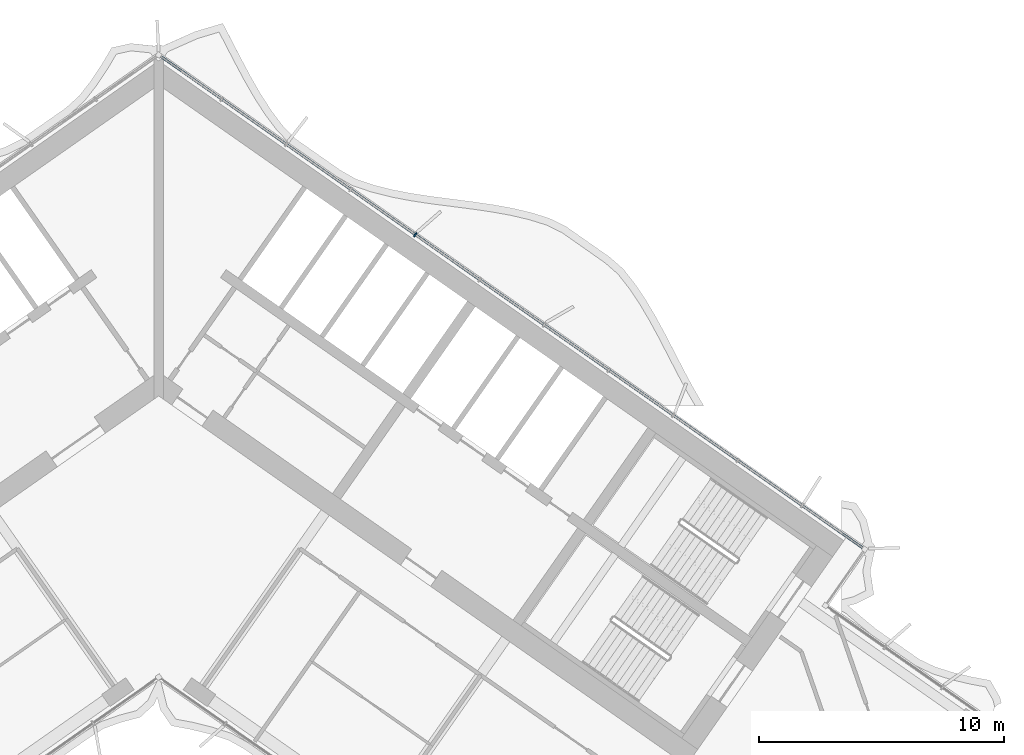
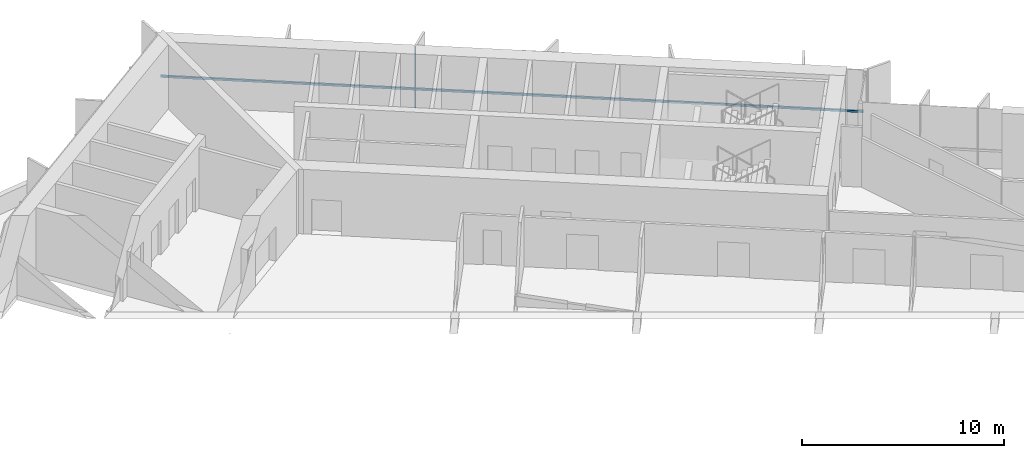
# One storey, part 9 of 23: 2 members, 1 element without a shape of its own.
"""IFC4 building model written with IfcOpenShell, lengths in metres."""

from ifc_helpers import new_model, si_unit, direction, frame, origin, origin_2d, place, context, subcontext, project, spatial, rectangle, extrude, material, material_profile, profile_set, type_object, element, aggregate, save


model = new_model("IFC4")

# Units and contexts
model_context = context("Model", 3, precision=1e-05, world=origin(), true_north=direction((0.0, 1.0)))
body_context = subcontext(model_context, "Body", "Model", "MODEL_VIEW")
ifc_project = project(units=[si_unit("LENGTHUNIT", "METRE"), si_unit("AREAUNIT", "SQUARE_METRE"), si_unit("VOLUMEUNIT", "CUBIC_METRE"), si_unit("PLANEANGLEUNIT", "RADIAN"), si_unit("MASSUNIT", "GRAM", prefix="KILO")], contexts=[model_context])

# Site, building, storey
site_placement = place(None, origin())
site = spatial("IfcSite", under=ifc_project, at=site_placement, CompositionType="ELEMENT")
building_placement = place(site_placement, origin())
building = spatial("IfcBuilding", under=site, at=building_placement, Name="Tel Ilan Convention Tower", CompositionType="ELEMENT")
storey_placement = place(building_placement, frame((0.0, 0.0, 190.5)))
storey = spatial("IfcBuildingStorey", under=building, at=storey_placement, Name="L44", CompositionType="ELEMENT", Elevation=190.5)

# Curtain wall, members
ifc_material_1 = material(Name="Aluminium, bronze anodised", Category="aluminium")
curtain_wall_type = type_object("IfcCurtainWallType", Name="CW2 STICK CURTAIN WALL, SPANDREL PANELS", PredefinedType="NOTDEFINED", material=ifc_material_1)
curtain_wall_placement = place(storey_placement, origin())
curtain_wall = element("IfcCurtainWall", 1, at=curtain_wall_placement, inside=storey, type_object=curtain_wall_type, Name="Curtain wall CW2-34.03", PredefinedType="NOTDEFINED")
ifc_material_2 = material(Name="Aluminium, bronze anodised", Category="aluminium")
ifc_material_profile_1 = material_profile(ifc_material_2, rectangle(XDim=0.06005859375, YDim=0.199951171875, at=origin_2d()), Name="CW MULLION 60x200")
ifc_profile_set_1 = profile_set([ifc_material_profile_1], Name="Aluminium, bronze anodised")
member_type_1 = type_object("IfcMemberType", Name="CW MULLION 60x200", PredefinedType="MULLION", material=ifc_profile_set_1)
member_1_placement = place(storey_placement, frame((10.47314453125, 5.36279296875, 0.0), z_axis=(0.0, 0.0, 1.0), x_axis=(-0.819152044289, 0.573576436351, 0.0)))
member_1 = element("IfcMember", 2, at=member_1_placement, type_object=member_type_1, Name="Mullion", PredefinedType="MULLION", context=body_context, shape_type="SweptSolid", body=[
    extrude(rectangle(XDim=0.06005859375, YDim=0.199951171875, at=origin_2d()), origin(), (0.0, 0.0, 1.0), 3.6201171875),
])
ifc_material_3 = material(Name="Aluminium, bronze anodised", Category="aluminium")
ifc_material_profile_2 = material_profile(ifc_material_3, rectangle(XDim=0.10009765625, YDim=0.1201171875, at=origin_2d()), Name="CW TRANSOM 100x120")
ifc_profile_set_2 = profile_set([ifc_material_profile_2], Name="Aluminium, bronze anodised")
member_type_2 = type_object("IfcMemberType", Name="CW TRANSOM 100x120", PredefinedType="USERDEFINED", material=ifc_profile_set_2)
member_2_placement = place(storey_placement, frame((28.737548828125, -7.42626953125, 1.10009765625), z_axis=(-0.819150201937, 0.573579067494, 0.0), x_axis=(-0.573579067494, -0.819150201937, 0.0)))
member_2 = element("IfcMember", 3, at=member_2_placement, type_object=member_type_2, Name="Transom", ObjectType="TRANSOM", PredefinedType="USERDEFINED", context=body_context, shape_type="SweptSolid", body=[
    extrude(rectangle(XDim=0.10009765625, YDim=0.1201171875, at=origin_2d()), origin(), (0.0, 0.0, 1.0), 34.9521484375),
])
aggregate(curtain_wall, [member_1, member_2])

save(model, "model.ifc")
